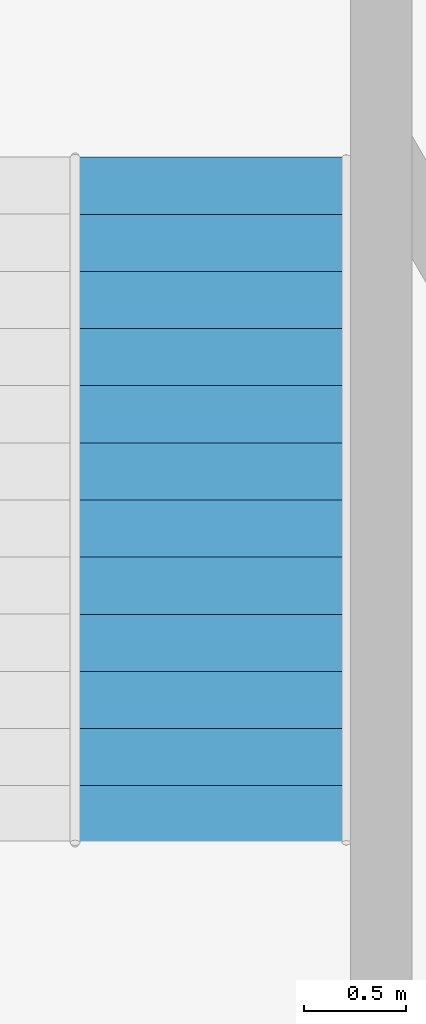
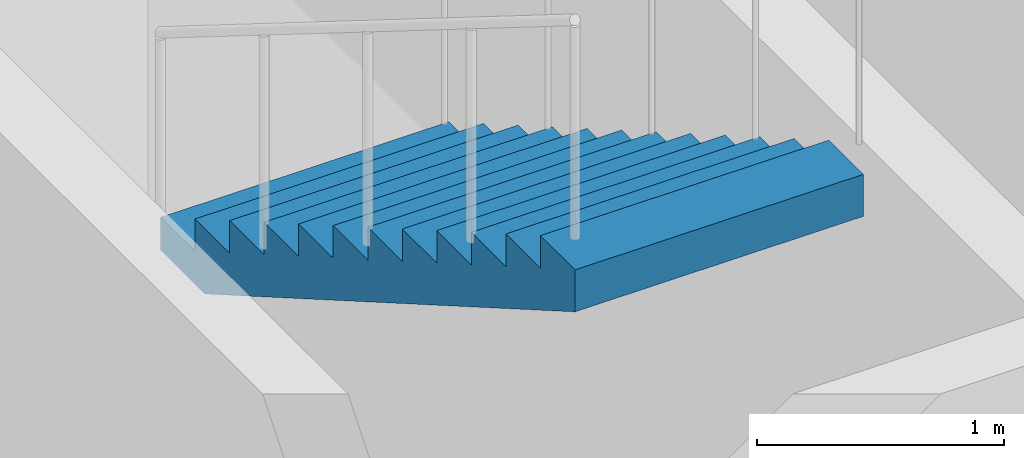
# One storey, part 13 of 14: 1 stair flight, 1 element without a shape of its own.
"""IFC4 building model written with IfcOpenShell, lengths in metres."""

from ifc_helpers import new_model, si_unit, direction, frame, origin, place, context, subcontext, project, spatial, polyline, outline, extrude, material, type_object, element, aggregate, save


model = new_model("IFC4")

# Units and contexts
model_context = context("Model", 3, precision=1e-05, world=origin(), true_north=direction((0.0, 1.0)))
body_context = subcontext(model_context, "Body", "Model", "MODEL_VIEW")
ifc_project = project(units=[si_unit("LENGTHUNIT", "METRE"), si_unit("AREAUNIT", "SQUARE_METRE"), si_unit("VOLUMEUNIT", "CUBIC_METRE"), si_unit("PLANEANGLEUNIT", "RADIAN"), si_unit("MASSUNIT", "GRAM", prefix="KILO")], contexts=[model_context])

# Site, building, storey
site_placement = place(None, origin())
site = spatial("IfcSite", under=ifc_project, at=site_placement, CompositionType="ELEMENT")
building_placement = place(site_placement, origin())
building = spatial("IfcBuilding", under=site, at=building_placement, Name="Impinga Residences", CompositionType="ELEMENT")
storey_placement = place(building_placement, frame((0.0, 0.0, 291.550048828125)))
storey = spatial("IfcBuildingStorey", under=building, at=storey_placement, Name="L73", CompositionType="ELEMENT", Elevation=291.550048828125)

# Stair, stair flight
ifc_material = material(Name="Concrete C40/50", Category="concrete")
stair_type = type_object("IfcStairType", Name="STR core stair 4200 storey, 26 risers", PredefinedType="HALF_TURN_STAIR", material=ifc_material)
stair_placement = place(storey_placement, origin())
stair = element("IfcStair", 1, at=stair_placement, inside=storey, type_object=stair_type, Name="Stair ST1 L73", PredefinedType="HALF_TURN_STAIR")
stair_flight_type = type_object("IfcStairFlightType", Name="SF 13 risers of 162", PredefinedType="STRAIGHT", material=ifc_material)
stair_flight_placement = place(storey_placement, frame((3.625, 8.389892578125, 2.099853515625), z_axis=(0.0, 0.0, 1.0), x_axis=(0.0, -1.0, 0.0)))
stair_flight = element("IfcStairFlight", 2, at=stair_flight_placement, type_object=stair_flight_type, Name="ST1 flight 2", NumberOfRisers=13, NumberOfTreads=12, PredefinedType="STRAIGHT", RiserHeight=0.161538462, TreadLength=0.28, context=body_context, shape_type="SweptSolid", body=[
    extrude(outline(polyline([(0.0, 0.0), (0.0, 0.16162109375), (0.280029296875, 0.16162109375), (0.280029296875, 0.322998046875), (0.56005859375, 0.322998046875), (0.56005859375, 0.484619140625), (0.840087890625, 0.484619140625), (0.840087890625, 0.646240234375), (1.1201171875, 0.646240234375), (1.1201171875, 0.8076171875), (1.39990234375, 0.8076171875), (1.39990234375, 0.96923828125), (1.679931640625, 0.96923828125), (1.679931640625, 1.130859375), (1.9599609375, 1.130859375), (1.9599609375, 1.292236328125), (2.239990234375, 1.292236328125), (2.239990234375, 1.453857421875), (2.52001953125, 1.453857421875), (2.52001953125, 1.615478515625), (2.800048828125, 1.615478515625), (2.800048828125, 1.77685546875), (3.080078125, 1.77685546875), (3.080078125, 1.9384765625), (3.360107421875, 1.9384765625), (3.360107421875, 2.10009765625), (3.360107421875, 1.730712890625), (0.360107421875, 0.0), (0.0, 0.0)])), frame((0.0, 0.675048828125, 0.0), z_axis=(0.0, -1.0, 0.0), x_axis=(1.0, 0.0, 0.0)), (0.0, 0.0, 1.0), 1.35009765625),
])
aggregate(stair, [stair_flight])

save(model, "model.ifc")
